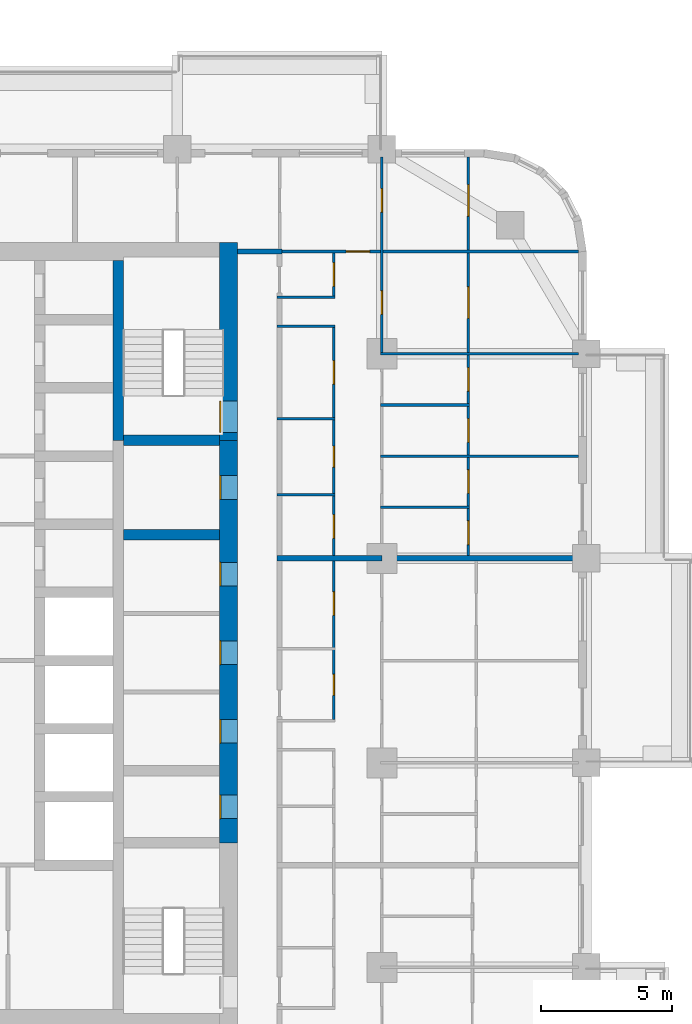
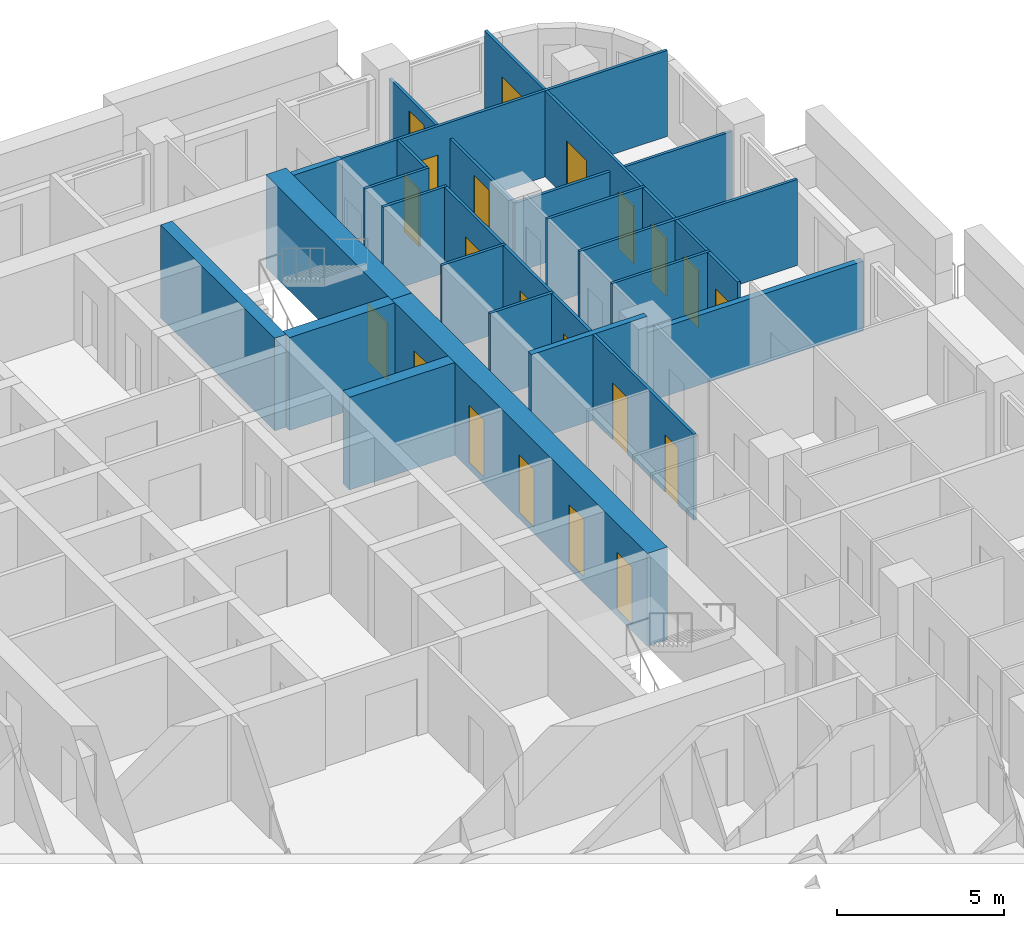
# One storey, part 13 of 19: 21 doors, 21 walls, 21 openings.
"""IFC4 building model written with IfcOpenShell, lengths in metres."""

from ifc_helpers import new_model, si_unit, direction, frame, frame_2d, origin, place, context, subcontext, project, spatial, rectangle, extrude, material, layer, layer_set, type_object, element, fill, save


model = new_model("IFC4")

# Units and contexts
model_context = context("Model", 3, precision=1e-05, world=origin(), true_north=direction((0.0, 1.0)))
body_context = subcontext(model_context, "Body", "Model", "MODEL_VIEW")
ifc_project = project(units=[si_unit("LENGTHUNIT", "METRE"), si_unit("AREAUNIT", "SQUARE_METRE"), si_unit("VOLUMEUNIT", "CUBIC_METRE"), si_unit("PLANEANGLEUNIT", "RADIAN"), si_unit("MASSUNIT", "GRAM", prefix="KILO")], contexts=[model_context])

# Site, building, storey
site_placement = place(None, origin())
site = spatial("IfcSite", under=ifc_project, at=site_placement, CompositionType="ELEMENT")
building_placement = place(site_placement, origin())
building = spatial("IfcBuilding", under=site, at=building_placement, Name="Ludao Terraces", CompositionType="ELEMENT")
storey_placement = place(building_placement, frame((0.0, 0.0, 36.5)))
storey = spatial("IfcBuildingStorey", under=building, at=storey_placement, Name="L09", CompositionType="ELEMENT", Elevation=36.5)

# Wall, openings, doors
ifc_material_1 = material(Name="Concrete C70", Category="concrete")
ifc_layer_1 = layer(ifc_material_1, 0.699951171875)
ifc_layer_set_1 = layer_set([ifc_layer_1], Name="Core wall 700 C70")
wall_type_1 = type_object("IfcWallType", Name="Core wall 700 C70", PredefinedType="SOLIDWALL", material=ifc_layer_set_1)
wall_1_placement = place(storey_placement, frame((94.75, 61.949951171875, -0.25), z_axis=(0.0, 0.0, 1.0), x_axis=(0.0, 1.0, 0.0)))
wall_1 = element("IfcWall", 1, at=wall_1_placement, inside=storey, type_object=wall_type_1, Name="Core wall L09 outer-E", PredefinedType="SOLIDWALL", context=body_context, shape_type="SweptSolid", body=[
    extrude(rectangle(XDim=15.35009765625, YDim=0.699951171875, at=frame_2d((7.675048828125, 0.0))), origin(), (0.0, 0.0, 1.0), 3.39990234375),
])
opening_1_placement = place(wall_1_placement, frame((0.925048828125, 0.0, 0.25)))
opening_1 = element("IfcOpeningElement", 2, at=opening_1_placement, cuts=wall_1, Name="Opening R02-078", PredefinedType="OPENING", context=body_context, shape_type="SweptSolid", body=[
    extrude(rectangle(XDim=0.89990234375, YDim=2.10009765625, at=frame_2d((0.449951171875, 1.050048828125))), frame((0.0, 0.35986328125, 0.0), z_axis=(0.0, -1.0, 0.0), x_axis=(1.0, 0.0, 0.0)), (0.0, 0.0, 1.0), 0.719970703125),
])
opening_2_placement = place(wall_1_placement, frame((3.800048828125, 0.0, 0.25)))
opening_2 = element("IfcOpeningElement", 3, at=opening_2_placement, cuts=wall_1, Name="Opening R02-087", PredefinedType="OPENING", context=body_context, shape_type="SweptSolid", body=[
    extrude(rectangle(XDim=0.89990234375, YDim=2.10009765625, at=frame_2d((0.449951171875, 1.050048828125))), frame((0.0, 0.35986328125, 0.0), z_axis=(0.0, -1.0, 0.0), x_axis=(1.0, 0.0, 0.0)), (0.0, 0.0, 1.0), 0.719970703125),
])
opening_3_placement = place(wall_1_placement, frame((6.800048828125, 0.0, 0.25)))
opening_3 = element("IfcOpeningElement", 4, at=opening_3_placement, cuts=wall_1, Name="Opening R02-099", PredefinedType="OPENING", context=body_context, shape_type="SweptSolid", body=[
    extrude(rectangle(XDim=0.89990234375, YDim=2.10009765625, at=frame_2d((0.449951171875, 1.050048828125))), frame((0.0, 0.35986328125, 0.0), z_axis=(0.0, -1.0, 0.0), x_axis=(1.0, 0.0, 0.0)), (0.0, 0.0, 1.0), 0.719970703125),
])
opening_4_placement = place(wall_1_placement, frame((9.800048828125, 0.0, 0.25)))
opening_4 = element("IfcOpeningElement", 5, at=opening_4_placement, cuts=wall_1, Name="Opening R02-109", PredefinedType="OPENING", context=body_context, shape_type="SweptSolid", body=[
    extrude(rectangle(XDim=0.89990234375, YDim=2.10009765625, at=frame_2d((0.449951171875, 1.050048828125))), frame((0.0, 0.35986328125, 0.0), z_axis=(0.0, -1.0, 0.0), x_axis=(1.0, 0.0, 0.0)), (0.0, 0.0, 1.0), 0.719970703125),
])
opening_5_placement = place(wall_1_placement, frame((13.10009765625, 0.0, 0.25)))
opening_5 = element("IfcOpeningElement", 6, at=opening_5_placement, cuts=wall_1, Name="Opening R02-121", PredefinedType="OPENING", context=body_context, shape_type="SweptSolid", body=[
    extrude(rectangle(XDim=0.89990234375, YDim=2.10009765625, at=frame_2d((0.449951171875, 1.050048828125))), frame((0.0, 0.35986328125, 0.0), z_axis=(0.0, -1.0, 0.0), x_axis=(1.0, 0.0, 0.0)), (0.0, 0.0, 1.0), 0.719970703125),
])
ifc_material_2 = material(Name="Steel Q235", Category="steel")
door_type_1 = type_object("IfcDoorType", Name="INT Riser door 900", OperationType="SINGLE_SWING_LEFT", PredefinedType="DOOR", material=ifc_material_2)
door_1_placement = place(opening_1_placement, origin())
door_1 = element("IfcDoor", 7, at=door_1_placement, inside=storey, type_object=door_type_1, Name="DOOR 078", OperationType="SINGLE_SWING_RIGHT", OverallHeight=2.10009765625, OverallWidth=0.89990234375, PredefinedType="DOOR", context=body_context, shape_type="SweptSolid", body=[
    extrude(rectangle(XDim=0.89990234375, YDim=2.10009765625, at=frame_2d((0.449951171875, 1.050048828125))), frame((0.0, 0.3349609375, 0.0), z_axis=(0.0, -1.0, 0.0), x_axis=(1.0, 0.0, 0.0)), (0.0, 0.0, 1.0), 0.050048828125),
])
fill(opening_1, door_1)
door_2_placement = place(opening_5_placement, origin())
door_2 = element("IfcDoor", 8, at=door_2_placement, inside=storey, type_object=door_type_1, Name="DOOR 121", OperationType="SINGLE_SWING_LEFT", OverallHeight=2.10009765625, OverallWidth=0.89990234375, PredefinedType="DOOR", context=body_context, shape_type="SweptSolid", body=[
    extrude(rectangle(XDim=0.89990234375, YDim=2.10009765625, at=frame_2d((0.449951171875, 1.050048828125))), frame((0.0, 0.3349609375, 0.0), z_axis=(0.0, -1.0, 0.0), x_axis=(1.0, 0.0, 0.0)), (0.0, 0.0, 1.0), 0.050048828125),
])
fill(opening_5, door_2)
ifc_material_3 = material(Name="Timber door leaf", Category="wood")
door_type_2 = type_object("IfcDoorType", Name="INT Room door 900", OperationType="SINGLE_SWING_LEFT", PredefinedType="DOOR", material=ifc_material_3)
door_3_placement = place(opening_2_placement, origin())
door_3 = element("IfcDoor", 9, at=door_3_placement, inside=storey, type_object=door_type_2, Name="DOOR 087", OperationType="SINGLE_SWING_LEFT", OverallHeight=2.10009765625, OverallWidth=0.89990234375, PredefinedType="DOOR", context=body_context, shape_type="SweptSolid", body=[
    extrude(rectangle(XDim=0.89990234375, YDim=2.10009765625, at=frame_2d((0.449951171875, 1.050048828125))), frame((0.0, 0.3349609375, 0.0), z_axis=(0.0, -1.0, 0.0), x_axis=(1.0, 0.0, 0.0)), (0.0, 0.0, 1.0), 0.050048828125),
])
fill(opening_2, door_3)
door_4_placement = place(opening_3_placement, origin())
door_4 = element("IfcDoor", 10, at=door_4_placement, inside=storey, type_object=door_type_2, Name="DOOR 099", OperationType="SINGLE_SWING_LEFT", OverallHeight=2.10009765625, OverallWidth=0.89990234375, PredefinedType="DOOR", context=body_context, shape_type="SweptSolid", body=[
    extrude(rectangle(XDim=0.89990234375, YDim=2.10009765625, at=frame_2d((0.449951171875, 1.050048828125))), frame((0.0, 0.3349609375, 0.0), z_axis=(0.0, -1.0, 0.0), x_axis=(1.0, 0.0, 0.0)), (0.0, 0.0, 1.0), 0.050048828125),
])
fill(opening_3, door_4)
door_5_placement = place(opening_4_placement, origin())
door_5 = element("IfcDoor", 11, at=door_5_placement, inside=storey, type_object=door_type_2, Name="DOOR 109", OperationType="SINGLE_SWING_RIGHT", OverallHeight=2.10009765625, OverallWidth=0.89990234375, PredefinedType="DOOR", context=body_context, shape_type="SweptSolid", body=[
    extrude(rectangle(XDim=0.89990234375, YDim=2.10009765625, at=frame_2d((0.449951171875, 1.050048828125))), frame((0.0, 0.3349609375, 0.0), z_axis=(0.0, -1.0, 0.0), x_axis=(1.0, 0.0, 0.0)), (0.0, 0.0, 1.0), 0.050048828125),
])
fill(opening_4, door_5)

# Wall, opening, door
wall_2_placement = place(storey_placement, frame((94.75, 77.300048828125, -0.25), z_axis=(0.0, 0.0, 1.0), x_axis=(0.0, 1.0, 0.0)))
wall_2 = element("IfcWall", 12, at=wall_2_placement, inside=storey, type_object=wall_type_1, Name="Core wall L09 outer-E-S2", PredefinedType="SOLIDWALL", context=body_context, shape_type="SweptSolid", body=[
    extrude(rectangle(XDim=7.550048828125, YDim=0.699951171875, at=frame_2d((3.77490234375, 0.0))), origin(), (0.0, 0.0, 1.0), 3.39990234375),
])
opening_6_placement = place(wall_2_placement, frame((0.300048828125, 0.0, 0.25)))
opening_6 = element("IfcOpeningElement", 13, at=opening_6_placement, cuts=wall_2, Name="Opening R02-134", PredefinedType="OPENING", context=body_context, shape_type="SweptSolid", body=[
    extrude(rectangle(XDim=1.199951171875, YDim=2.10009765625, at=frame_2d((0.60009765625, 1.050048828125))), frame((0.0, 0.35986328125, 0.0), z_axis=(0.0, -1.0, 0.0), x_axis=(1.0, 0.0, 0.0)), (0.0, 0.0, 1.0), 0.719970703125),
])
door_type_3 = type_object("IfcDoorType", Name="INT Stair door 1200", OperationType="DOUBLE_DOOR_SINGLE_SWING", PredefinedType="DOOR", material=ifc_material_2)
door_6_placement = place(opening_6_placement, origin())
door_6 = element("IfcDoor", 14, at=door_6_placement, inside=storey, type_object=door_type_3, Name="DOOR 134", OperationType="DOUBLE_DOOR_SINGLE_SWING", OverallHeight=2.10009765625, OverallWidth=1.199951171875, PredefinedType="DOOR", context=body_context, shape_type="SweptSolid", body=[
    extrude(rectangle(XDim=1.199951171875, YDim=2.10009765625, at=frame_2d((0.60009765625, 1.050048828125))), frame((0.0, 0.3349609375, 0.0), z_axis=(0.0, -1.0, 0.0), x_axis=(1.0, 0.0, 0.0)), (0.0, 0.0, 1.0), 0.050048828125),
])
fill(opening_6, door_6)

# Walls
ifc_material_4 = material(Name="Autoclaved aerated concrete block B06 A3.5", Category="concrete")
ifc_layer_2 = layer(ifc_material_4, 0.199951171875)
ifc_layer_set_2 = layer_set([ifc_layer_2], Name="INT Entrance wall 200")
wall_type_2 = type_object("IfcWallType", Name="INT Entrance wall 200", PredefinedType="PARTITIONING", material=ifc_layer_set_2)
wall_3_placement = place(storey_placement, frame((95.10009765625, 84.5, 0.0), z_axis=(0.0, 0.0, 1.0), x_axis=(1.0, 0.0, 0.0)))
element("IfcWall", 15, at=wall_3_placement, inside=storey, type_object=wall_type_2, Name="PW-L09-PW079", PredefinedType="PARTITIONING", context=body_context, shape_type="SweptSolid", body=[
    extrude(rectangle(XDim=1.699951171875, YDim=0.199951171875, at=frame_2d((0.85009765625, 0.0))), origin(), (0.0, 0.0, 1.0), 3.14990234375),
])
ifc_material_5 = material(Name="Gypsum plasterboard", Category="gypsum")
ifc_layer_3 = layer(ifc_material_5, 0.012451171875, Category="gypsum")
ifc_material_6 = material(Name="Mineral wool")
ifc_layer_4 = layer(ifc_material_6, 0.06005859375, Name="insulation")
ifc_layer_5 = layer(ifc_material_2, 0.014892578125, Name="stud")
ifc_layer_6 = layer(ifc_material_5, 0.012451171875, Category="gypsum")
ifc_layer_set_3 = layer_set([ifc_layer_3, ifc_layer_4, ifc_layer_5, ifc_layer_6], Name="INT Partition 100")
wall_type_3 = type_object("IfcWallType", Name="INT Partition 100", PredefinedType="PARTITIONING", material=ifc_layer_set_3)
wall_4_placement = place(storey_placement, frame((100.550048828125, 74.75, 0.0), z_axis=(0.0, 0.0, 1.0), x_axis=(1.0, 0.0, 0.0)))
element("IfcWall", 16, at=wall_4_placement, inside=storey, type_object=wall_type_3, Name="PW-L09-PW060", PredefinedType="PARTITIONING", context=body_context, shape_type="SweptSolid", body=[
    extrude(rectangle(XDim=3.400146484375, YDim=0.10009765625, at=frame_2d((1.7001953125, 0.0))), origin(), (0.0, 0.0, 1.0), 3.14990234375),
])
wall_5_placement = place(storey_placement, frame((96.60009765625, 75.22998046875, 0.0), z_axis=(0.0, 0.0, 1.0), x_axis=(1.0, 0.0, 0.0)))
element("IfcWall", 17, at=wall_5_placement, inside=storey, type_object=wall_type_3, Name="PW-L09-PW061", PredefinedType="PARTITIONING", context=body_context, shape_type="SweptSolid", body=[
    extrude(rectangle(XDim=2.219970703125, YDim=0.10009765625, at=frame_2d((1.10986328125, 0.0))), origin(), (0.0, 0.0, 1.0), 3.14990234375),
])
wall_6_placement = place(storey_placement, frame((100.550048828125, 76.699951171875, 0.0), z_axis=(0.0, 0.0, 1.0), x_axis=(1.0, 0.0, 0.0)))
element("IfcWall", 18, at=wall_6_placement, inside=storey, type_object=wall_type_3, Name="PW-L09-PW064", PredefinedType="PARTITIONING", context=body_context, shape_type="SweptSolid", body=[
    extrude(rectangle(XDim=7.550048828125, YDim=0.10009765625, at=frame_2d((3.77490234375, 0.0))), origin(), (0.0, 0.0, 1.0), 3.14990234375),
])
wall_7_placement = place(storey_placement, frame((96.60009765625, 78.1298828125, 0.0), z_axis=(0.0, 0.0, 1.0), x_axis=(1.0, 0.0, 0.0)))
element("IfcWall", 19, at=wall_7_placement, inside=storey, type_object=wall_type_3, Name="PW-L09-PW065", PredefinedType="PARTITIONING", context=body_context, shape_type="SweptSolid", body=[
    extrude(rectangle(XDim=2.219970703125, YDim=0.10009765625, at=frame_2d((1.10986328125, 0.0))), origin(), (0.0, 0.0, 1.0), 3.14990234375),
])
wall_8_placement = place(storey_placement, frame((100.550048828125, 78.64990234375, 0.0), z_axis=(0.0, 0.0, 1.0), x_axis=(1.0, 0.0, 0.0)))
element("IfcWall", 20, at=wall_8_placement, inside=storey, type_object=wall_type_3, Name="PW-L09-PW068", PredefinedType="PARTITIONING", context=body_context, shape_type="SweptSolid", body=[
    extrude(rectangle(XDim=3.400146484375, YDim=0.10009765625, at=frame_2d((1.7001953125, 0.0))), origin(), (0.0, 0.0, 1.0), 3.14990234375),
])
wall_9_placement = place(storey_placement, frame((100.550048828125, 80.60009765625, 0.0), z_axis=(0.0, 0.0, 1.0), x_axis=(1.0, 0.0, 0.0)))
element("IfcWall", 21, at=wall_9_placement, inside=storey, type_object=wall_type_3, Name="PW-L09-PW071", PredefinedType="PARTITIONING", context=body_context, shape_type="SweptSolid", body=[
    extrude(rectangle(XDim=7.550048828125, YDim=0.10009765625, at=frame_2d((3.77490234375, 0.0))), origin(), (0.0, 0.0, 1.0), 2.550048828125),
])
for number, where, z_axis, x_axis, name in (
    (22, (96.60009765625, 81.64990234375, 0.0), (0.0, 0.0, 1.0), (1.0, 0.0, 0.0), "PW-L09-PW073"),
    (23, (96.60009765625, 82.75, 0.0), (0.0, 0.0, 1.0), (1.0, 0.0, 0.0), "PW-L09-PW076"),
):
    element("IfcWall", number, at=place(storey_placement, frame(where, z_axis=z_axis, x_axis=x_axis)), inside=storey, type_object=wall_type_3, Name=name, PredefinedType="PARTITIONING", context=body_context, shape_type="SweptSolid", body=[
        extrude(rectangle(XDim=2.219970703125, YDim=0.10009765625, at=frame_2d((1.10986328125, 0.0))), origin(), (0.0, 0.0, 1.0), 3.14990234375),
    ])

# Wall, opening, door
wall_10_placement = place(storey_placement, frame((96.60009765625, 84.5, 0.0), z_axis=(0.0, 0.0, 1.0), x_axis=(1.0, 0.0, 0.0)))
wall_10 = element("IfcWall", 24, at=wall_10_placement, inside=storey, type_object=wall_type_3, Name="PW-L09-PW080", PredefinedType="PARTITIONING", context=body_context, shape_type="SweptSolid", body=[
    extrude(rectangle(XDim=11.5, YDim=0.10009765625, at=frame_2d((5.75, 0.0))), origin(), (0.0, 0.0, 1.0), 3.14990234375),
])
opening_7_placement = place(wall_10_placement, frame((2.635009765625, 0.0, 0.0)))
opening_7 = element("IfcOpeningElement", 25, at=opening_7_placement, cuts=wall_10, Name="Opening R02-156", PredefinedType="OPENING", context=body_context, shape_type="SweptSolid", body=[
    extrude(rectangle(XDim=0.89990234375, YDim=2.10009765625, at=frame_2d((0.449951171875, 1.050048828125))), frame((0.0, 0.06005859375, 0.0), z_axis=(0.0, -1.0, 0.0), x_axis=(1.0, 0.0, 0.0)), (0.0, 0.0, 1.0), 0.1201171875),
])
door_7_placement = place(opening_7_placement, origin())
door_7 = element("IfcDoor", 26, at=door_7_placement, inside=storey, type_object=door_type_2, Name="DOOR 156", OperationType="SINGLE_SWING_LEFT", OverallHeight=2.10009765625, OverallWidth=0.89990234375, PredefinedType="DOOR", context=body_context, shape_type="SweptSolid", body=[
    extrude(rectangle(XDim=0.89990234375, YDim=2.10009765625, at=frame_2d((0.449951171875, 1.050048828125))), frame((0.0, 0.02490234375, 0.0), z_axis=(0.0, -1.0, 0.0), x_axis=(1.0, 0.0, 0.0)), (0.0, 0.0, 1.0), 0.050048828125),
])
fill(opening_7, door_7)

# Wall, openings, doors
wall_11_placement = place(storey_placement, frame((98.77001953125, 66.650146484375, 0.0), z_axis=(0.0, 0.0, 1.0), x_axis=(0.0, 1.0, 0.0)))
wall_11 = element("IfcWall", 27, at=wall_11_placement, inside=storey, type_object=wall_type_3, Name="PW-L09-PW120", PredefinedType="PARTITIONING", context=body_context, shape_type="SweptSolid", body=[
    extrude(rectangle(XDim=14.949951171875, YDim=0.10009765625, at=frame_2d((7.47509765625, 0.0))), origin(), (0.0, 0.0, 1.0), 3.14990234375),
])
opening_8_placement = place(wall_11_placement, frame((0.925048828125, 0.0, 0.0)))
opening_8 = element("IfcOpeningElement", 28, at=opening_8_placement, cuts=wall_11, Name="Opening R02-095", PredefinedType="OPENING", context=body_context, shape_type="SweptSolid", body=[
    extrude(rectangle(XDim=0.800048828125, YDim=2.10009765625, at=frame_2d((0.39990234375, 1.050048828125))), frame((0.0, 0.06005859375, 0.0), z_axis=(0.0, -1.0, 0.0), x_axis=(1.0, 0.0, 0.0)), (0.0, 0.0, 1.0), 0.1201171875),
])
opening_9_placement = place(wall_11_placement, frame((3.97509765625, 0.0, 0.0)))
opening_9 = element("IfcOpeningElement", 29, at=opening_9_placement, cuts=wall_11, Name="Opening R02-104", PredefinedType="OPENING", context=body_context, shape_type="SweptSolid", body=[
    extrude(rectangle(XDim=0.89990234375, YDim=2.10009765625, at=frame_2d((0.449951171875, 1.050048828125))), frame((0.0, 0.06005859375, 0.0), z_axis=(0.0, -1.0, 0.0), x_axis=(1.0, 0.0, 0.0)), (0.0, 0.0, 1.0), 0.1201171875),
])
opening_10_placement = place(wall_11_placement, frame((6.9150390625, 0.0, 0.0)))
opening_10 = element("IfcOpeningElement", 30, at=opening_10_placement, cuts=wall_11, Name="Opening R02-115", PredefinedType="OPENING", context=body_context, shape_type="SweptSolid", body=[
    extrude(rectangle(XDim=0.89990234375, YDim=2.10009765625, at=frame_2d((0.449951171875, 1.050048828125))), frame((0.0, 0.06005859375, 0.0), z_axis=(0.0, -1.0, 0.0), x_axis=(1.0, 0.0, 0.0)), (0.0, 0.0, 1.0), 0.1201171875),
])
opening_11_placement = place(wall_11_placement, frame((9.6298828125, 0.0, 0.0)))
opening_11 = element("IfcOpeningElement", 31, at=opening_11_placement, cuts=wall_11, Name="Opening R02-126", PredefinedType="OPENING", context=body_context, shape_type="SweptSolid", body=[
    extrude(rectangle(XDim=0.800048828125, YDim=2.10009765625, at=frame_2d((0.39990234375, 1.050048828125))), frame((0.0, 0.06005859375, 0.0), z_axis=(0.0, -1.0, 0.0), x_axis=(1.0, 0.0, 0.0)), (0.0, 0.0, 1.0), 0.1201171875),
])
opening_12_placement = place(wall_11_placement, frame((12.7900390625, 0.0, 0.0)))
opening_12 = element("IfcOpeningElement", 32, at=opening_12_placement, cuts=wall_11, Name="Opening R02-139", PredefinedType="OPENING", context=body_context, shape_type="SweptSolid", body=[
    extrude(rectangle(XDim=0.89990234375, YDim=2.10009765625, at=frame_2d((0.449951171875, 1.050048828125))), frame((0.0, 0.06005859375, 0.0), z_axis=(0.0, -1.0, 0.0), x_axis=(1.0, 0.0, 0.0)), (0.0, 0.0, 1.0), 0.1201171875),
])
door_type_4 = type_object("IfcDoorType", Name="INT Bathroom door 900", OperationType="SINGLE_SWING_LEFT", PredefinedType="DOOR", material=ifc_material_3)
door_8_placement = place(opening_10_placement, origin())
door_8 = element("IfcDoor", 33, at=door_8_placement, inside=storey, type_object=door_type_4, Name="DOOR 115", OperationType="SINGLE_SWING_LEFT", OverallHeight=2.10009765625, OverallWidth=0.89990234375, PredefinedType="DOOR", context=body_context, shape_type="SweptSolid", body=[
    extrude(rectangle(XDim=0.89990234375, YDim=2.10009765625, at=frame_2d((0.449951171875, 1.050048828125))), frame((0.0, 0.02490234375, 0.0), z_axis=(0.0, -1.0, 0.0), x_axis=(1.0, 0.0, 0.0)), (0.0, 0.0, 1.0), 0.050048828125),
])
fill(opening_10, door_8)
door_9_placement = place(opening_9_placement, origin())
door_9 = element("IfcDoor", 34, at=door_9_placement, inside=storey, type_object=door_type_2, Name="DOOR 104", OperationType="SINGLE_SWING_LEFT", OverallHeight=2.10009765625, OverallWidth=0.89990234375, PredefinedType="DOOR", context=body_context, shape_type="SweptSolid", body=[
    extrude(rectangle(XDim=0.89990234375, YDim=2.10009765625, at=frame_2d((0.449951171875, 1.050048828125))), frame((0.0, 0.02490234375, 0.0), z_axis=(0.0, -1.0, 0.0), x_axis=(1.0, 0.0, 0.0)), (0.0, 0.0, 1.0), 0.050048828125),
])
fill(opening_9, door_9)
door_10_placement = place(opening_12_placement, origin())
door_10 = element("IfcDoor", 35, at=door_10_placement, inside=storey, type_object=door_type_2, Name="DOOR 139", OperationType="SINGLE_SWING_LEFT", OverallHeight=2.10009765625, OverallWidth=0.89990234375, PredefinedType="DOOR", context=body_context, shape_type="SweptSolid", body=[
    extrude(rectangle(XDim=0.89990234375, YDim=2.10009765625, at=frame_2d((0.449951171875, 1.050048828125))), frame((0.0, 0.02490234375, 0.0), z_axis=(0.0, -1.0, 0.0), x_axis=(1.0, 0.0, 0.0)), (0.0, 0.0, 1.0), 0.050048828125),
])
fill(opening_12, door_10)
door_type_5 = type_object("IfcDoorType", Name="INT Store door 800", OperationType="SINGLE_SWING_LEFT", PredefinedType="DOOR", material=ifc_material_3)
door_11_placement = place(opening_8_placement, origin())
door_11 = element("IfcDoor", 36, at=door_11_placement, inside=storey, type_object=door_type_5, Name="DOOR 095", OperationType="SINGLE_SWING_RIGHT", OverallHeight=2.10009765625, OverallWidth=0.800048828125, PredefinedType="DOOR", context=body_context, shape_type="SweptSolid", body=[
    extrude(rectangle(XDim=0.800048828125, YDim=2.10009765625, at=frame_2d((0.39990234375, 1.050048828125))), frame((0.0, 0.02490234375, 0.0), z_axis=(0.0, -1.0, 0.0), x_axis=(1.0, 0.0, 0.0)), (0.0, 0.0, 1.0), 0.050048828125),
])
fill(opening_8, door_11)
door_12_placement = place(opening_11_placement, origin())
door_12 = element("IfcDoor", 37, at=door_12_placement, inside=storey, type_object=door_type_5, Name="DOOR 126", OperationType="SINGLE_SWING_LEFT", OverallHeight=2.10009765625, OverallWidth=0.800048828125, PredefinedType="DOOR", context=body_context, shape_type="SweptSolid", body=[
    extrude(rectangle(XDim=0.800048828125, YDim=2.10009765625, at=frame_2d((0.39990234375, 1.050048828125))), frame((0.0, 0.02490234375, 0.0), z_axis=(0.0, -1.0, 0.0), x_axis=(1.0, 0.0, 0.0)), (0.0, 0.0, 1.0), 0.050048828125),
])
fill(opening_11, door_12)

# Wall, opening, door
wall_12_placement = place(storey_placement, frame((98.77001953125, 82.800048828125, 0.0), z_axis=(0.0, 0.0, 1.0), x_axis=(0.0, 1.0, 0.0)))
wall_12 = element("IfcWall", 38, at=wall_12_placement, inside=storey, type_object=wall_type_3, Name="PW-L09-PW121", PredefinedType="PARTITIONING", context=body_context, shape_type="SweptSolid", body=[
    extrude(rectangle(XDim=1.650146484375, YDim=0.10009765625, at=frame_2d((0.8251953125, 0.0))), origin(), (0.0, 0.0, 1.0), 3.14990234375),
])
opening_13_placement = place(wall_12_placement, frame((0.375, 0.0, 0.0)))
opening_13 = element("IfcOpeningElement", 39, at=opening_13_placement, cuts=wall_12, Name="Opening R02-154", PredefinedType="OPENING", context=body_context, shape_type="SweptSolid", body=[
    extrude(rectangle(XDim=0.89990234375, YDim=2.10009765625, at=frame_2d((0.449951171875, 1.050048828125))), frame((0.0, 0.06005859375, 0.0), z_axis=(0.0, -1.0, 0.0), x_axis=(1.0, 0.0, 0.0)), (0.0, 0.0, 1.0), 0.1201171875),
])
door_13_placement = place(opening_13_placement, origin())
door_13 = element("IfcDoor", 40, at=door_13_placement, inside=storey, type_object=door_type_4, Name="DOOR 154", OperationType="SINGLE_SWING_LEFT", OverallHeight=2.10009765625, OverallWidth=0.89990234375, PredefinedType="DOOR", context=body_context, shape_type="SweptSolid", body=[
    extrude(rectangle(XDim=0.89990234375, YDim=2.10009765625, at=frame_2d((0.449951171875, 1.050048828125))), frame((0.0, 0.02490234375, 0.0), z_axis=(0.0, -1.0, 0.0), x_axis=(1.0, 0.0, 0.0)), (0.0, 0.0, 1.0), 0.050048828125),
])
fill(opening_13, door_13)

# Wall, openings, doors
wall_13_placement = place(storey_placement, frame((100.60009765625, 80.60009765625, 0.0), z_axis=(0.0, 0.0, 1.0), x_axis=(0.0, 1.0, 0.0)))
wall_13 = element("IfcWall", 41, at=wall_13_placement, inside=storey, type_object=wall_type_3, Name="PW-L09-PW122-3", PredefinedType="PARTITIONING", context=body_context, shape_type="SweptSolid", body=[
    extrude(rectangle(XDim=7.5, YDim=0.10009765625, at=frame_2d((3.75, 0.0))), origin(), (0.0, 0.0, 1.0), 2.550048828125),
])
opening_14_placement = place(wall_13_placement, frame((1.5, 0.0, 0.0)))
opening_14 = element("IfcOpeningElement", 42, at=opening_14_placement, cuts=wall_13, Name="Opening R02-146", PredefinedType="OPENING", context=body_context, shape_type="SweptSolid", body=[
    extrude(rectangle(XDim=0.89990234375, YDim=2.10009765625, at=frame_2d((0.449951171875, 1.050048828125))), frame((0.0, 0.06005859375, 0.0), z_axis=(0.0, -1.0, 0.0), x_axis=(1.0, 0.0, 0.0)), (0.0, 0.0, 1.0), 0.1201171875),
])
opening_15_placement = place(wall_13_placement, frame((5.39990234375, 0.0, 0.0)))
opening_15 = element("IfcOpeningElement", 43, at=opening_15_placement, cuts=wall_13, Name="Opening R02-165", PredefinedType="OPENING", context=body_context, shape_type="SweptSolid", body=[
    extrude(rectangle(XDim=0.89990234375, YDim=2.10009765625, at=frame_2d((0.449951171875, 1.050048828125))), frame((0.0, 0.06005859375, 0.0), z_axis=(0.0, -1.0, 0.0), x_axis=(1.0, 0.0, 0.0)), (0.0, 0.0, 1.0), 0.1201171875),
])
door_14_placement = place(opening_14_placement, origin())
door_14 = element("IfcDoor", 44, at=door_14_placement, inside=storey, type_object=door_type_2, Name="DOOR 146", OperationType="SINGLE_SWING_LEFT", OverallHeight=2.10009765625, OverallWidth=0.89990234375, PredefinedType="DOOR", context=body_context, shape_type="SweptSolid", body=[
    extrude(rectangle(XDim=0.89990234375, YDim=2.10009765625, at=frame_2d((0.449951171875, 1.050048828125))), frame((0.0, 0.02490234375, 0.0), z_axis=(0.0, -1.0, 0.0), x_axis=(1.0, 0.0, 0.0)), (0.0, 0.0, 1.0), 0.050048828125),
])
fill(opening_14, door_14)
door_15_placement = place(opening_15_placement, origin())
door_15 = element("IfcDoor", 45, at=door_15_placement, inside=storey, type_object=door_type_2, Name="DOOR 165", OperationType="SINGLE_SWING_LEFT", OverallHeight=2.10009765625, OverallWidth=0.89990234375, PredefinedType="DOOR", context=body_context, shape_type="SweptSolid", body=[
    extrude(rectangle(XDim=0.89990234375, YDim=2.10009765625, at=frame_2d((0.449951171875, 1.050048828125))), frame((0.0, 0.02490234375, 0.0), z_axis=(0.0, -1.0, 0.0), x_axis=(1.0, 0.0, 0.0)), (0.0, 0.0, 1.0), 0.050048828125),
])
fill(opening_15, door_15)

wall_14_placement = place(storey_placement, frame((103.89990234375, 72.900146484375, 0.0), z_axis=(0.0, 0.0, 1.0), x_axis=(0.0, 1.0, 0.0)))
wall_14 = element("IfcWall", 46, at=wall_14_placement, inside=storey, type_object=wall_type_3, Name="PW-L09-PW123", PredefinedType="PARTITIONING", context=body_context, shape_type="SweptSolid", body=[
    extrude(rectangle(XDim=15.199951171875, YDim=0.10009765625, at=frame_2d((7.60009765625, 0.0))), origin(), (0.0, 0.0, 1.0), 3.14990234375),
])
opening_16_placement = place(wall_14_placement, frame((0.425048828125, 0.0, 0.0)))
opening_16 = element("IfcOpeningElement", 47, at=opening_16_placement, cuts=wall_14, Name="Opening R02-114", PredefinedType="OPENING", context=body_context, shape_type="SweptSolid", body=[
    extrude(rectangle(XDim=0.89990234375, YDim=2.10009765625, at=frame_2d((0.449951171875, 1.050048828125))), frame((0.0, 0.06005859375, 0.0), z_axis=(0.0, -1.0, 0.0), x_axis=(1.0, 0.0, 0.0)), (0.0, 0.0, 1.0), 0.1201171875),
])
opening_17_placement = place(wall_14_placement, frame((2.375, 0.0, 0.0)))
opening_17 = element("IfcOpeningElement", 48, at=opening_17_placement, cuts=wall_14, Name="Opening R02-125", PredefinedType="OPENING", context=body_context, shape_type="SweptSolid", body=[
    extrude(rectangle(XDim=0.89990234375, YDim=2.10009765625, at=frame_2d((0.449951171875, 1.050048828125))), frame((0.0, 0.06005859375, 0.0), z_axis=(0.0, -1.0, 0.0), x_axis=(1.0, 0.0, 0.0)), (0.0, 0.0, 1.0), 0.1201171875),
])
opening_18_placement = place(wall_14_placement, frame((4.324951171875, 0.0, 0.0)))
opening_18 = element("IfcOpeningElement", 49, at=opening_18_placement, cuts=wall_14, Name="Opening R02-130", PredefinedType="OPENING", context=body_context, shape_type="SweptSolid", body=[
    extrude(rectangle(XDim=0.89990234375, YDim=2.10009765625, at=frame_2d((0.449951171875, 1.050048828125))), frame((0.0, 0.06005859375, 0.0), z_axis=(0.0, -1.0, 0.0), x_axis=(1.0, 0.0, 0.0)), (0.0, 0.0, 1.0), 0.1201171875),
])
opening_19_placement = place(wall_14_placement, frame((6.27490234375, 0.0, 0.0)))
opening_19 = element("IfcOpeningElement", 50, at=opening_19_placement, cuts=wall_14, Name="Opening R02-138", PredefinedType="OPENING", context=body_context, shape_type="SweptSolid", body=[
    extrude(rectangle(XDim=0.89990234375, YDim=2.10009765625, at=frame_2d((0.449951171875, 1.050048828125))), frame((0.0, 0.06005859375, 0.0), z_axis=(0.0, -1.0, 0.0), x_axis=(1.0, 0.0, 0.0)), (0.0, 0.0, 1.0), 0.1201171875),
])
opening_20_placement = place(wall_14_placement, frame((9.050048828125, 0.0, 0.0)))
opening_20 = element("IfcOpeningElement", 51, at=opening_20_placement, cuts=wall_14, Name="Opening R02-147", PredefinedType="OPENING", context=body_context, shape_type="SweptSolid", body=[
    extrude(rectangle(XDim=1.199951171875, YDim=2.10009765625, at=frame_2d((0.60009765625, 1.050048828125))), frame((0.0, 0.06005859375, 0.0), z_axis=(0.0, -1.0, 0.0), x_axis=(1.0, 0.0, 0.0)), (0.0, 0.0, 1.0), 0.1201171875),
])
opening_21_placement = place(wall_14_placement, frame((12.949951171875, 0.0, 0.0)))
opening_21 = element("IfcOpeningElement", 52, at=opening_21_placement, cuts=wall_14, Name="Opening R02-166", PredefinedType="OPENING", context=body_context, shape_type="SweptSolid", body=[
    extrude(rectangle(XDim=1.199951171875, YDim=2.10009765625, at=frame_2d((0.60009765625, 1.050048828125))), frame((0.0, 0.06005859375, 0.0), z_axis=(0.0, -1.0, 0.0), x_axis=(1.0, 0.0, 0.0)), (0.0, 0.0, 1.0), 0.1201171875),
])
door_16_placement = place(opening_16_placement, origin())
door_16 = element("IfcDoor", 53, at=door_16_placement, inside=storey, type_object=door_type_4, Name="DOOR 114", OperationType="SINGLE_SWING_LEFT", OverallHeight=2.10009765625, OverallWidth=0.89990234375, PredefinedType="DOOR", context=body_context, shape_type="SweptSolid", body=[
    extrude(rectangle(XDim=0.89990234375, YDim=2.10009765625, at=frame_2d((0.449951171875, 1.050048828125))), frame((0.0, 0.02490234375, 0.0), z_axis=(0.0, -1.0, 0.0), x_axis=(1.0, 0.0, 0.0)), (0.0, 0.0, 1.0), 0.050048828125),
])
fill(opening_16, door_16)
door_17_placement = place(opening_18_placement, origin())
door_17 = element("IfcDoor", 54, at=door_17_placement, inside=storey, type_object=door_type_4, Name="DOOR 130", OperationType="SINGLE_SWING_LEFT", OverallHeight=2.10009765625, OverallWidth=0.89990234375, PredefinedType="DOOR", context=body_context, shape_type="SweptSolid", body=[
    extrude(rectangle(XDim=0.89990234375, YDim=2.10009765625, at=frame_2d((0.449951171875, 1.050048828125))), frame((0.0, 0.02490234375, 0.0), z_axis=(0.0, -1.0, 0.0), x_axis=(1.0, 0.0, 0.0)), (0.0, 0.0, 1.0), 0.050048828125),
])
fill(opening_18, door_17)
door_type_6 = type_object("IfcDoorType", Name="INT Double door 1200", OperationType="DOUBLE_DOOR_SINGLE_SWING", PredefinedType="DOOR", material=ifc_material_3)
door_18_placement = place(opening_20_placement, origin())
door_18 = element("IfcDoor", 55, at=door_18_placement, inside=storey, type_object=door_type_6, Name="DOOR 147", OperationType="DOUBLE_DOOR_SINGLE_SWING", OverallHeight=2.10009765625, OverallWidth=1.199951171875, PredefinedType="DOOR", context=body_context, shape_type="SweptSolid", body=[
    extrude(rectangle(XDim=1.199951171875, YDim=2.10009765625, at=frame_2d((0.60009765625, 1.050048828125))), frame((0.0, 0.02490234375, 0.0), z_axis=(0.0, -1.0, 0.0), x_axis=(1.0, 0.0, 0.0)), (0.0, 0.0, 1.0), 0.050048828125),
])
fill(opening_20, door_18)
door_19_placement = place(opening_21_placement, origin())
door_19 = element("IfcDoor", 56, at=door_19_placement, inside=storey, type_object=door_type_6, Name="DOOR 166", OperationType="DOUBLE_DOOR_SINGLE_SWING", OverallHeight=2.10009765625, OverallWidth=1.199951171875, PredefinedType="DOOR", context=body_context, shape_type="SweptSolid", body=[
    extrude(rectangle(XDim=1.199951171875, YDim=2.10009765625, at=frame_2d((0.60009765625, 1.050048828125))), frame((0.0, 0.02490234375, 0.0), z_axis=(0.0, -1.0, 0.0), x_axis=(1.0, 0.0, 0.0)), (0.0, 0.0, 1.0), 0.050048828125),
])
fill(opening_21, door_19)
door_20_placement = place(opening_17_placement, origin())
door_20 = element("IfcDoor", 57, at=door_20_placement, inside=storey, type_object=door_type_2, Name="DOOR 125", OperationType="SINGLE_SWING_LEFT", OverallHeight=2.10009765625, OverallWidth=0.89990234375, PredefinedType="DOOR", context=body_context, shape_type="SweptSolid", body=[
    extrude(rectangle(XDim=0.89990234375, YDim=2.10009765625, at=frame_2d((0.449951171875, 1.050048828125))), frame((0.0, 0.02490234375, 0.0), z_axis=(0.0, -1.0, 0.0), x_axis=(1.0, 0.0, 0.0)), (0.0, 0.0, 1.0), 0.050048828125),
])
fill(opening_17, door_20)
door_21_placement = place(opening_19_placement, origin())
door_21 = element("IfcDoor", 58, at=door_21_placement, inside=storey, type_object=door_type_2, Name="DOOR 138", OperationType="SINGLE_SWING_LEFT", OverallHeight=2.10009765625, OverallWidth=0.89990234375, PredefinedType="DOOR", context=body_context, shape_type="SweptSolid", body=[
    extrude(rectangle(XDim=0.89990234375, YDim=2.10009765625, at=frame_2d((0.449951171875, 1.050048828125))), frame((0.0, 0.02490234375, 0.0), z_axis=(0.0, -1.0, 0.0), x_axis=(1.0, 0.0, 0.0)), (0.0, 0.0, 1.0), 0.050048828125),
])
fill(opening_19, door_21)

# Walls
ifc_layer_7 = layer(ifc_material_4, 0.199951171875)
ifc_layer_set_4 = layer_set([ifc_layer_7], Name="INT Party wall 200")
wall_type_4 = type_object("IfcWallType", Name="INT Party wall 200", PredefinedType="PARTITIONING", material=ifc_layer_set_4)
wall_15_placement = place(storey_placement, frame((96.60009765625, 72.800048828125, 0.0), z_axis=(0.0, 0.0, 1.0), x_axis=(1.0, 0.0, 0.0)))
element("IfcWall", 59, at=wall_15_placement, inside=storey, type_object=wall_type_4, Name="PW-L09-PW056", PredefinedType="PARTITIONING", context=body_context, shape_type="SweptSolid", body=[
    extrude(rectangle(XDim=4.0, YDim=0.199951171875, at=frame_2d((2.0, 0.0))), origin(), (0.0, 0.0, 1.0), 3.14990234375),
])
wall_16_placement = place(storey_placement, frame((100.60009765625, 72.800048828125, 0.0), z_axis=(0.0, 0.0, 1.0), x_axis=(1.0, 0.0, 0.0)))
element("IfcWall", 60, at=wall_16_placement, inside=storey, type_object=wall_type_4, Name="PW-L09-PW056-2", PredefinedType="PARTITIONING", context=body_context, shape_type="SweptSolid", body=[
    extrude(rectangle(XDim=7.5, YDim=0.199951171875, at=frame_2d((3.75, 0.0))), origin(), (0.0, 0.0, 1.0), 2.550048828125),
])
ifc_material_7 = material(Name="Concrete C60", Category="concrete")
ifc_layer_8 = layer(ifc_material_7, 0.39990234375)
ifc_layer_set_5 = layer_set([ifc_layer_8], Name="Shaft wall 400 C60")
wall_type_5 = type_object("IfcWallType", Name="Shaft wall 400 C60", PredefinedType="SOLIDWALL", material=ifc_layer_set_5)
wall_17_placement = place(storey_placement, frame((90.550048828125, 77.300048828125, -0.25), z_axis=(0.0, 0.0, 1.0), x_axis=(0.0, 1.0, 0.0)))
element("IfcWall", 61, at=wall_17_placement, inside=storey, type_object=wall_type_5, Name="Core wall L09 back-E-S2", PredefinedType="SOLIDWALL", context=body_context, shape_type="SweptSolid", body=[
    extrude(rectangle(XDim=6.849853515625, YDim=0.39990234375, at=frame_2d((3.4248046875, 0.0))), origin(), (0.0, 0.0, 1.0), 3.39990234375),
])
for number, where, z_axis, x_axis, name in (
    (62, (90.75, 73.699951171875, -0.25), (0.0, 0.0, 1.0), (1.0, 0.0, 0.0), "Core wall L09 riser-b-E"),
    (63, (90.75, 77.300048828125, -0.25), (0.0, 0.0, 1.0), (1.0, 0.0, 0.0), "Core wall L09 stair-E"),
):
    element("IfcWall", number, at=place(storey_placement, frame(where, z_axis=z_axis, x_axis=x_axis)), inside=storey, type_object=wall_type_5, Name=name, PredefinedType="SOLIDWALL", context=body_context, shape_type="SweptSolid", body=[
        extrude(rectangle(XDim=3.64990234375, YDim=0.39990234375, at=frame_2d((1.824951171875, 0.0))), origin(), (0.0, 0.0, 1.0), 3.39990234375),
    ])

save(model, "model.ifc")
